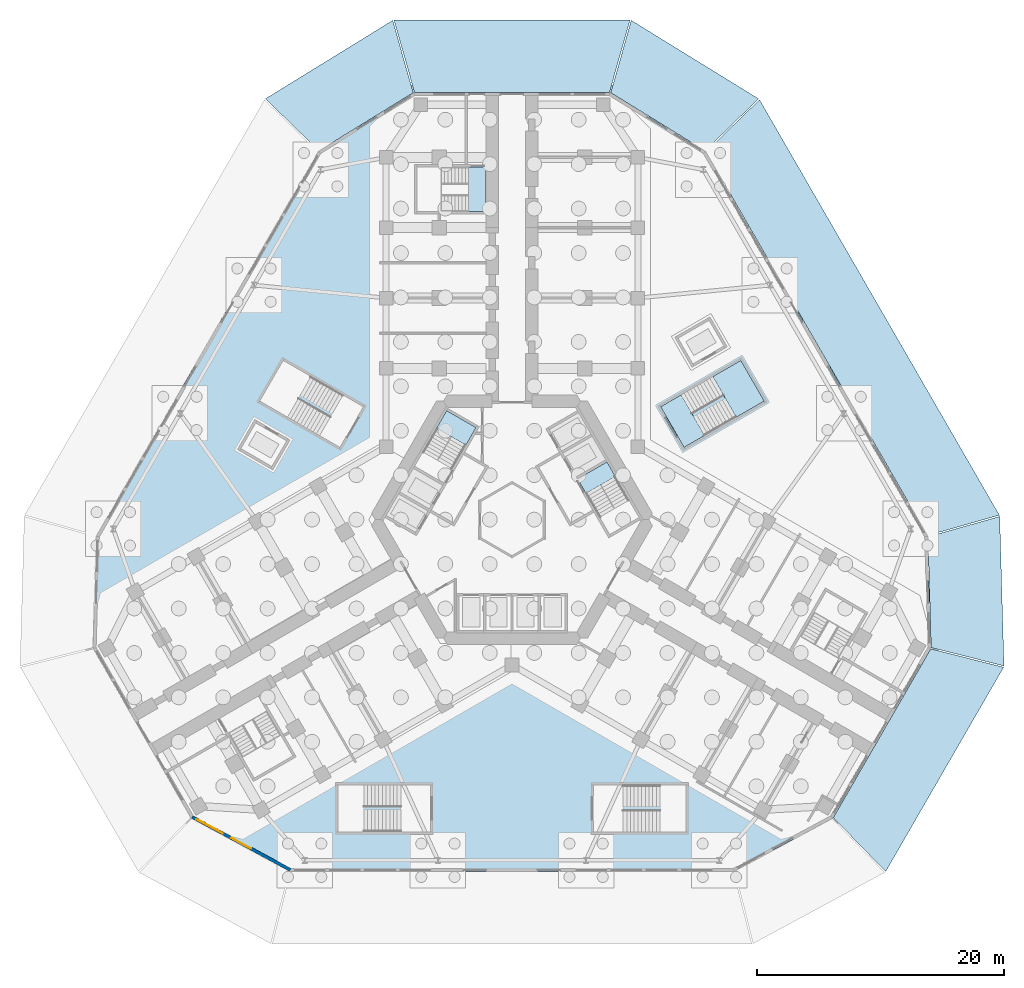
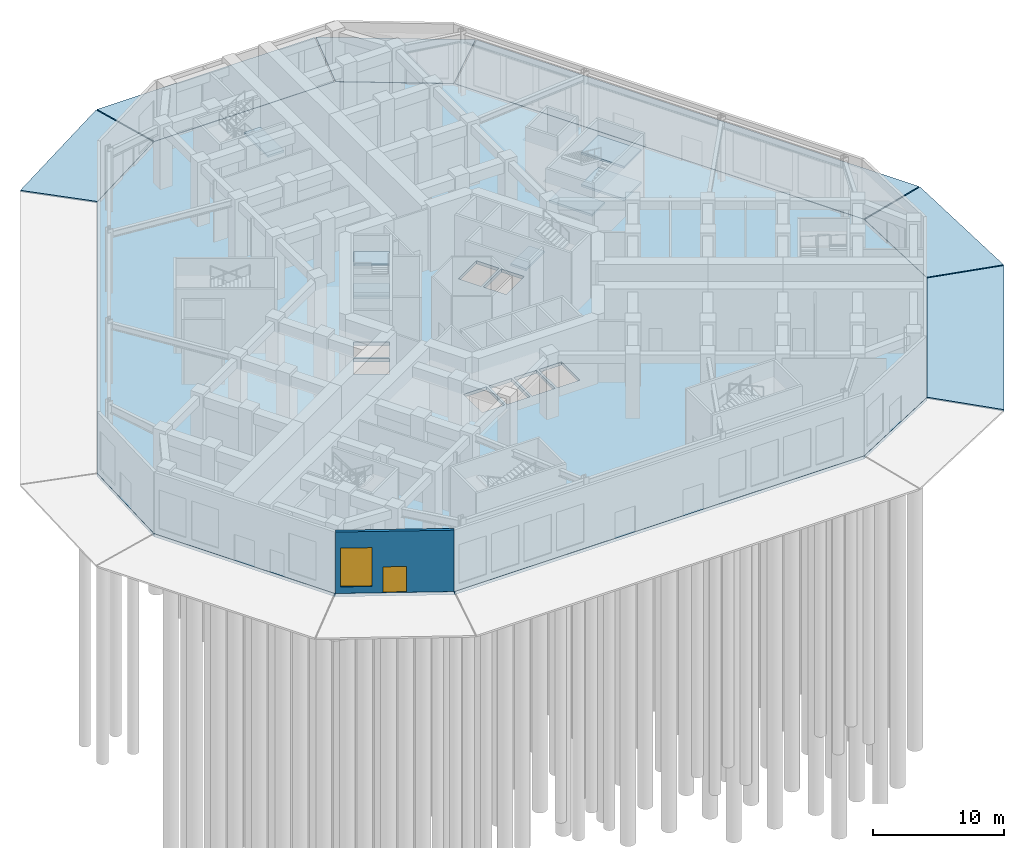
# One storey, part 4 of 16: 14 slabs, 1 door, 1 wall, 1 window, 2 openings, 4 elements without a shape of their own.
"""IFC4 building model written with IfcOpenShell, lengths in metres."""

from ifc_helpers import new_model, si_unit, direction, frame, frame_2d, origin, place, context, subcontext, project, spatial, polyline, rectangle, outline, extrude, material, layer, layer_set, type_object, element, fill, aggregate, save


model = new_model("IFC4")

# Units and contexts
model_context = context("Model", 3, precision=1e-05, world=origin(), true_north=direction((0.0, 1.0)))
body_context = subcontext(model_context, "Body", "Model", "MODEL_VIEW")
ifc_project = project(units=[si_unit("LENGTHUNIT", "METRE"), si_unit("AREAUNIT", "SQUARE_METRE"), si_unit("VOLUMEUNIT", "CUBIC_METRE"), si_unit("PLANEANGLEUNIT", "RADIAN"), si_unit("MASSUNIT", "GRAM", prefix="KILO")], contexts=[model_context])

# Site, building, storey
site_placement = place(None, origin())
site = spatial("IfcSite", under=ifc_project, at=site_placement, CompositionType="ELEMENT")
building_placement = place(site_placement, origin())
building = spatial("IfcBuilding", under=site, at=building_placement, Name="Kosmar Iwan School Tower", CompositionType="ELEMENT")
storey_placement = place(building_placement, origin())
storey = spatial("IfcBuildingStorey", under=building, at=storey_placement, Name="L00", CompositionType="ELEMENT", Elevation=0.0)

# Stair, slab
ifc_material_1 = material(Name="Concrete C35/45", Category="concrete")
stair_type_1 = type_object("IfcStairType", Name="Escape stair 3600", PredefinedType="HALF_TURN_STAIR", material=ifc_material_1)
stair_1_placement = place(storey_placement, origin())
stair_1 = element("IfcStair", 1, at=stair_1_placement, inside=storey, type_object=stair_type_1, Name="Stair WS1 L00", PredefinedType="HALF_TURN_STAIR")
ifc_material_2 = material(Name="Concrete C35/45", Category="concrete")
ifc_layer_1 = layer(ifc_material_2, 0.199951171875)
ifc_layer_set_1 = layer_set([ifc_layer_1], Name="Escape stair landing 200")
slab_type_1 = type_object("IfcSlabType", Name="Escape stair landing 200", PredefinedType="LANDING", material=ifc_layer_set_1)
slab_1_placement = place(storey_placement, frame((0.0, 0.0, 2.800048828125)))
slab_1 = element("IfcSlab", 2, at=slab_1_placement, type_object=slab_type_1, Name="WS1 landing 2", PredefinedType="LANDING", context=body_context, shape_type="SweptSolid", body=[
    extrude(outline(polyline([(-2.10009765625, 24.949951171875), (-2.10009765625, 28.550048828125), (-3.52001953125, 28.550048828125), (-3.52001953125, 24.949951171875), (-2.10009765625, 24.949951171875)])), origin(), (0.0, 0.0, 1.0), 0.199951171875),
])
aggregate(stair_1, [slab_1])

# Slabs
ifc_material_3 = material(Name="Granite setts on concrete base", Category="masonry")
ifc_layer_2 = layer(ifc_material_3, 0.14990234375)
ifc_layer_set_2 = layer_set([ifc_layer_2], Name="Forecourt paving 150")
slab_type_2 = type_object("IfcSlabType", Name="Forecourt paving 150", PredefinedType="USERDEFINED", material=ifc_layer_set_2)
slab_2_placement = place(storey_placement, frame((0.0, 0.0, -0.14990234375)))
element("IfcSlab", 3, at=slab_2_placement, inside=storey, type_object=slab_type_2, Name="Entrance forecourt paving 3", ObjectType="PAVING", PredefinedType="USERDEFINED", context=body_context, shape_type="SweptSolid", body=[
    extrude(outline(polyline([(26.022705078125, -24.1474609375), (33.923583984375, -10.462646484375), (39.833251953125, -11.95654296875), (30.271484375, -28.518310546875), (26.022705078125, -24.1474609375)])), origin(), (0.0, 0.0, 1.0), 0.14990234375),
])
slab_3_placement = place(storey_placement, frame((0.0, 0.0, -0.14990234375)))
element("IfcSlab", 4, at=slab_3_placement, inside=storey, type_object=slab_type_2, Name="Entrance forecourt paving 4", ObjectType="PAVING", PredefinedType="USERDEFINED", context=body_context, shape_type="SweptSolid", body=[
    extrude(outline(polyline([(33.947998046875, -10.36572265625), (33.693115234375, -1.38720703125), (39.513671875, 0.26123046875), (39.85791015625, -11.859619140625), (33.947998046875, -10.36572265625)])), origin(), (0.0, 0.0, 1.0), 0.14990234375),
])
slab_4_placement = place(storey_placement, frame((0.0, 0.0, -0.14990234375)))
element("IfcSlab", 5, at=slab_4_placement, inside=storey, type_object=slab_type_2, Name="Entrance forecourt paving 5", ObjectType="PAVING", PredefinedType="USERDEFINED", context=body_context, shape_type="SweptSolid", body=[
    extrude(outline(polyline([(33.665771484375, -1.291015625), (15.71484375, 29.801025390625), (20.052734375, 34.017578125), (39.486328125, 0.357421875), (33.665771484375, -1.291015625)])), origin(), (0.0, 0.0, 1.0), 0.14990234375),
])
slab_5_placement = place(storey_placement, frame((0.0, 0.0, -0.14990234375)))
element("IfcSlab", 6, at=slab_5_placement, inside=storey, type_object=slab_type_2, Name="Entrance forecourt paving 6", ObjectType="PAVING", PredefinedType="USERDEFINED", context=body_context, shape_type="SweptSolid", body=[
    extrude(outline(polyline([(15.645263671875, 29.872802734375), (7.9970703125, 34.582763671875), (9.658203125, 40.44775390625), (19.983154296875, 34.089111328125), (15.645263671875, 29.872802734375)])), origin(), (0.0, 0.0, 1.0), 0.14990234375),
])
slab_6_placement = place(storey_placement, frame((0.0, 0.0, -0.14990234375)))
element("IfcSlab", 7, at=slab_6_placement, inside=storey, type_object=slab_type_2, Name="Entrance forecourt paving 7", ObjectType="PAVING", PredefinedType="USERDEFINED", context=body_context, shape_type="SweptSolid", body=[
    extrude(outline(polyline([(7.90087890625, 34.610107421875), (-7.90087890625, 34.610107421875), (-9.56201171875, 40.47509765625), (9.56201171875, 40.47509765625), (7.90087890625, 34.610107421875)])), origin(), (0.0, 0.0, 1.0), 0.14990234375),
])
slab_7_placement = place(storey_placement, frame((0.0, 0.0, -0.14990234375)))
element("IfcSlab", 8, at=slab_7_placement, inside=storey, type_object=slab_type_2, Name="Entrance forecourt paving 8", ObjectType="PAVING", PredefinedType="USERDEFINED", context=body_context, shape_type="SweptSolid", body=[
    extrude(outline(polyline([(-7.9970703125, 34.582763671875), (-15.645263671875, 29.872802734375), (-19.983154296875, 34.089111328125), (-9.658203125, 40.44775390625), (-7.9970703125, 34.582763671875)])), origin(), (0.0, 0.0, 1.0), 0.14990234375),
])
ifc_material_4 = material(Name="Concrete C35/45", Category="concrete")
ifc_layer_3 = layer(ifc_material_4, 0.300048828125)
ifc_layer_set_3 = layer_set([ifc_layer_3], Name="Ground slab 300")
slab_type_3 = type_object("IfcSlabType", Name="Ground slab 300", PredefinedType="BASESLAB", material=ifc_layer_set_3)
slab_8_placement = place(storey_placement, frame((0.0, 0.0, -0.300048828125)))
element("IfcSlab", 9, at=slab_8_placement, inside=storey, type_object=slab_type_3, Name="L00 floor slab", PredefinedType="BASESLAB", context=body_context, shape_type="SweptSolid", body=[
    extrude(outline(polyline([(-18.0, -28.5), (18.0, -28.5), (25.989501953125, -24.184814453125), (33.939453125, -10.4150390625), (33.681640625, -1.33837890625), (15.681640625, 29.83837890625), (7.949951171875, 34.60009765625), (-7.949951171875, 34.60009765625), (-15.681640625, 29.83837890625), (-33.681640625, -1.33837890625), (-33.939453125, -10.4150390625), (-25.989501953125, -24.184814453125), (-18.0, -28.5)]), holes=[polyline([(-5.712646484375, 2.60546875), (-8.09423828125, 3.98046875), (-9.09423828125, 2.248291015625), (-6.712646484375, 0.873291015625), (-5.712646484375, 2.60546875)]), polyline([(-6.812744140625, 0.7001953125), (-9.1943359375, 2.0751953125), (-10.1943359375, 0.343017578125), (-7.812744140625, -1.031982421875), (-6.812744140625, 0.7001953125)]), polyline([(5.112548828125, 3.64453125), (7.494140625, 5.01953125), (6.494140625, 6.751708984375), (4.112548828125, 5.376708984375), (5.112548828125, 3.64453125)]), polyline([(4.0126953125, 5.5498046875), (6.394287109375, 6.9248046875), (5.394287109375, 8.656982421875), (3.0126953125, 7.281982421875), (4.0126953125, 5.5498046875)]), polyline([(-4.300048828125, -6.199951171875), (-4.300048828125, -9.0), (-2.300048828125, -9.0), (-2.300048828125, -6.199951171875), (-4.300048828125, -6.199951171875)]), polyline([(-2.10009765625, -6.199951171875), (-2.10009765625, -9.0), (-0.10009765625, -9.0), (-0.10009765625, -6.199951171875), (-2.10009765625, -6.199951171875)]), polyline([(0.10009765625, -6.199951171875), (0.10009765625, -9.0), (2.10009765625, -9.0), (2.10009765625, -6.199951171875), (0.10009765625, -6.199951171875)]), polyline([(2.300048828125, -6.199951171875), (2.300048828125, -9.0), (4.300048828125, -9.0), (4.300048828125, -6.199951171875), (2.300048828125, -6.199951171875)])]), origin(), (0.0, 0.0, 1.0), 0.300048828125),
])

# Stair, slabs
ifc_material_5 = material(Name="Concrete C35/45", Category="concrete")
stair_type_2 = type_object("IfcStairType", Name="Core stair 2750", PredefinedType="HALF_TURN_STAIR", material=ifc_material_5)
stair_2_placement = place(storey_placement, origin())
stair_2 = element("IfcStair", 10, at=stair_2_placement, inside=storey, type_object=stair_type_2, Name="Stair ST2 L00", PredefinedType="HALF_TURN_STAIR")
ifc_material_6 = material(Name="Concrete C35/45", Category="concrete")
ifc_layer_4 = layer(ifc_material_6, 0.199951171875)
ifc_layer_set_4 = layer_set([ifc_layer_4], Name="Stair landing 200")
slab_type_4 = type_object("IfcSlabType", Name="Stair landing 200", PredefinedType="LANDING", material=ifc_layer_set_4)
slab_9_placement = place(storey_placement, frame((0.0, 0.0, 1.300048828125)))
slab_9 = element("IfcSlab", 11, at=slab_9_placement, type_object=slab_type_4, Name="ST2 landing 1", PredefinedType="LANDING", context=body_context, shape_type="SweptSolid", body=[
    extrude(outline(polyline([(-2.91259765625, 7.455078125), (-5.294189453125, 8.830078125), (-6.1142578125, 7.409912109375), (-3.732666015625, 6.034912109375), (-2.91259765625, 7.455078125)])), origin(), (0.0, 0.0, 1.0), 0.199951171875),
])
slab_10_placement = place(storey_placement, frame((0.0, 0.0, 4.300048828125)))
slab_10 = element("IfcSlab", 12, at=slab_10_placement, type_object=slab_type_4, Name="ST2 landing 3", PredefinedType="LANDING", context=body_context, shape_type="SweptSolid", body=[
    extrude(outline(polyline([(-2.91259765625, 7.455078125), (-5.294189453125, 8.830078125), (-6.1142578125, 7.409912109375), (-3.732666015625, 6.034912109375), (-2.91259765625, 7.455078125)])), origin(), (0.0, 0.0, 1.0), 0.199951171875),
])
aggregate(stair_2, [slab_9, slab_10])

# Stair, slab
stair_3_placement = place(storey_placement, origin())
stair_3 = element("IfcStair", 13, at=stair_3_placement, inside=storey, type_object=stair_type_2, Name="Stair ST1 L00", PredefinedType="HALF_TURN_STAIR")
slab_11_placement = place(storey_placement, frame((0.0, 0.0, 2.800048828125)))
slab_11 = element("IfcSlab", 14, at=slab_11_placement, type_object=slab_type_4, Name="ST1 landing 2", PredefinedType="LANDING", context=body_context, shape_type="SweptSolid", body=[
    extrude(outline(polyline([(5.99267578125, 2.120361328125), (8.374267578125, 3.495361328125), (7.6943359375, 4.673095703125), (5.312744140625, 3.298095703125), (5.99267578125, 2.120361328125)])), origin(), (0.0, 0.0, 1.0), 0.199951171875),
])
aggregate(stair_3, [slab_11])

# Stair, slabs
ifc_material_7 = material(Name="Concrete C35/45", Category="concrete")
stair_type_3 = type_object("IfcStairType", Name="School stair 3800", PredefinedType="HALF_TURN_STAIR", material=ifc_material_7)
stair_4_placement = place(storey_placement, origin())
stair_4 = element("IfcStair", 15, at=stair_4_placement, inside=storey, type_object=stair_type_3, Name="School stair SS3 L00", PredefinedType="HALF_TURN_STAIR")
slab_12_placement = place(storey_placement, frame((0.0, 0.0, 1.300048828125)))
slab_12 = element("IfcSlab", 16, at=slab_12_placement, type_object=slab_type_4, Name="SS3 landing 1", PredefinedType="LANDING", context=body_context, shape_type="SweptSolid", body=[
    extrude(outline(polyline([(18.16650390625, 8.29443359375), (20.435546875, 9.6044921875), (18.53564453125, 12.8955078125), (16.2666015625, 11.58544921875), (18.16650390625, 8.29443359375)])), origin(), (0.0, 0.0, 1.0), 0.199951171875),
])
slab_13_placement = place(storey_placement, frame((0.0, 0.0, 2.800048828125)))
slab_13 = element("IfcSlab", 17, at=slab_13_placement, type_object=slab_type_4, Name="SS3 landing 2", PredefinedType="LANDING", context=body_context, shape_type="SweptSolid", body=[
    extrude(outline(polyline([(13.9404296875, 5.8544921875), (15.603271484375, 6.814453125), (13.703125, 10.10546875), (12.040283203125, 9.1455078125), (13.9404296875, 5.8544921875)])), origin(), (0.0, 0.0, 1.0), 0.199951171875),
])
slab_14_placement = place(storey_placement, frame((0.0, 0.0, 4.300048828125)))
slab_14 = element("IfcSlab", 18, at=slab_14_placement, type_object=slab_type_4, Name="SS3 landing 3", PredefinedType="LANDING", context=body_context, shape_type="SweptSolid", body=[
    extrude(outline(polyline([(18.16650390625, 8.29443359375), (20.435546875, 9.6044921875), (18.53564453125, 12.8955078125), (16.2666015625, 11.58544921875), (18.16650390625, 8.29443359375)])), origin(), (0.0, 0.0, 1.0), 0.199951171875),
])
aggregate(stair_4, [slab_12, slab_13, slab_14])

# Wall, openings, door, window
ifc_material_8 = material(Name="Black steel framed glazed screen", Category="steel")
ifc_layer_5 = layer(ifc_material_8, 0.25)
ifc_layer_set_5 = layer_set([ifc_layer_5], Name="Entrance screen wall 250")
wall_type = type_object("IfcWallType", Name="Entrance screen wall 250", PredefinedType="SOLIDWALL", material=ifc_layer_set_5)
wall_placement = place(storey_placement, frame((-25.89892578125, -24.091796875, 0.0), z_axis=(0.0, 0.0, 1.0), x_axis=(0.879869382493, -0.475215603438, 0.0)))
wall = element("IfcWall", 19, at=wall_placement, inside=storey, type_object=wall_type, Name="Entrance screen L00 L00-F11", PredefinedType="SOLIDWALL", context=body_context, shape_type="SweptSolid", body=[
    extrude(rectangle(XDim=9.01318359375, YDim=0.25, at=frame_2d((4.506591796875, 0.0))), origin(), (0.0, 0.0, 1.0), 5.699951171875),
])
opening_1_placement = place(wall_placement, frame((3.606689453125, 0.0, 0.0)))
opening_1 = element("IfcOpeningElement", 20, at=opening_1_placement, cuts=wall, Name="Opening D10", PredefinedType="OPENING", context=body_context, shape_type="SweptSolid", body=[
    extrude(rectangle(XDim=1.800048828125, YDim=2.39990234375, at=frame_2d((0.89990234375, 1.199951171875))), frame((0.0, 0.136962890625, 0.0), z_axis=(0.0, -1.0, 0.0), x_axis=(1.0, 0.0, 0.0)), (0.0, 0.0, 1.0), 0.27392578125),
])
opening_2_placement = place(wall_placement, frame((0.39990234375, 0.0, 0.60009765625)))
opening_2 = element("IfcOpeningElement", 21, at=opening_2_placement, cuts=wall, Name="Opening W3", PredefinedType="OPENING", context=body_context, shape_type="SweptSolid", body=[
    extrude(rectangle(XDim=2.39990234375, YDim=3.60009765625, at=frame_2d((1.199951171875, 1.800048828125))), frame((0.0, 0.136962890625, 0.0), z_axis=(0.0, -1.0, 0.0), x_axis=(1.0, 0.0, 0.0)), (0.0, 0.0, 1.0), 0.27392578125),
])
ifc_material_9 = material(Name="Black steel framed glazed door", Category="steel")
door_type = type_object("IfcDoorType", Name="Entrance door pair 1800x2400", OperationType="DOUBLE_DOOR_SINGLE_SWING", PredefinedType="DOOR", material=ifc_material_9)
door_placement = place(opening_1_placement, frame((1.800048828125, 0.0, 0.0), z_axis=(0.0, 0.0, 1.0), x_axis=(-1.0, 0.0, 0.0)))
door = element("IfcDoor", 22, at=door_placement, inside=storey, type_object=door_type, Name="Entrance doors L00-F11 1", OperationType="DOUBLE_DOOR_SINGLE_SWING", OverallHeight=2.39990234375, OverallWidth=1.800048828125, PredefinedType="DOOR", context=body_context, shape_type="SweptSolid", body=[
    extrude(rectangle(XDim=1.800048828125, YDim=2.39990234375, at=frame_2d((0.89990234375, 1.199951171875))), frame((0.0, 0.02490234375, 0.0), z_axis=(0.0, -1.0, 0.0), x_axis=(1.0, 0.0, 0.0)), (0.0, 0.0, 1.0), 0.050048828125),
])
fill(opening_1, door)
ifc_material_10 = material(Name="Black aluminium frame with dark triple glazing", Category="aluminium")
window_type = type_object("IfcWindowType", Name="Screen window 2400x3600", PartitioningType="SINGLE_PANEL", PredefinedType="WINDOW", material=ifc_material_10)
window_placement = place(opening_2_placement, origin())
window = element("IfcWindow", 23, at=window_placement, inside=storey, type_object=window_type, Name="Screen window L00-F11", OverallHeight=3.60009765625, OverallWidth=2.39990234375, PartitioningType="SINGLE_PANEL", PredefinedType="WINDOW", context=body_context, shape_type="SweptSolid", body=[
    extrude(rectangle(XDim=2.39990234375, YDim=3.60009765625, at=frame_2d((1.199951171875, 1.800048828125))), frame((0.0, 0.030029296875, 0.0), z_axis=(0.0, -1.0, 0.0), x_axis=(1.0, 0.0, 0.0)), (0.0, 0.0, 1.0), 0.06005859375),
])
fill(opening_2, window)

save(model, "model.ifc")
